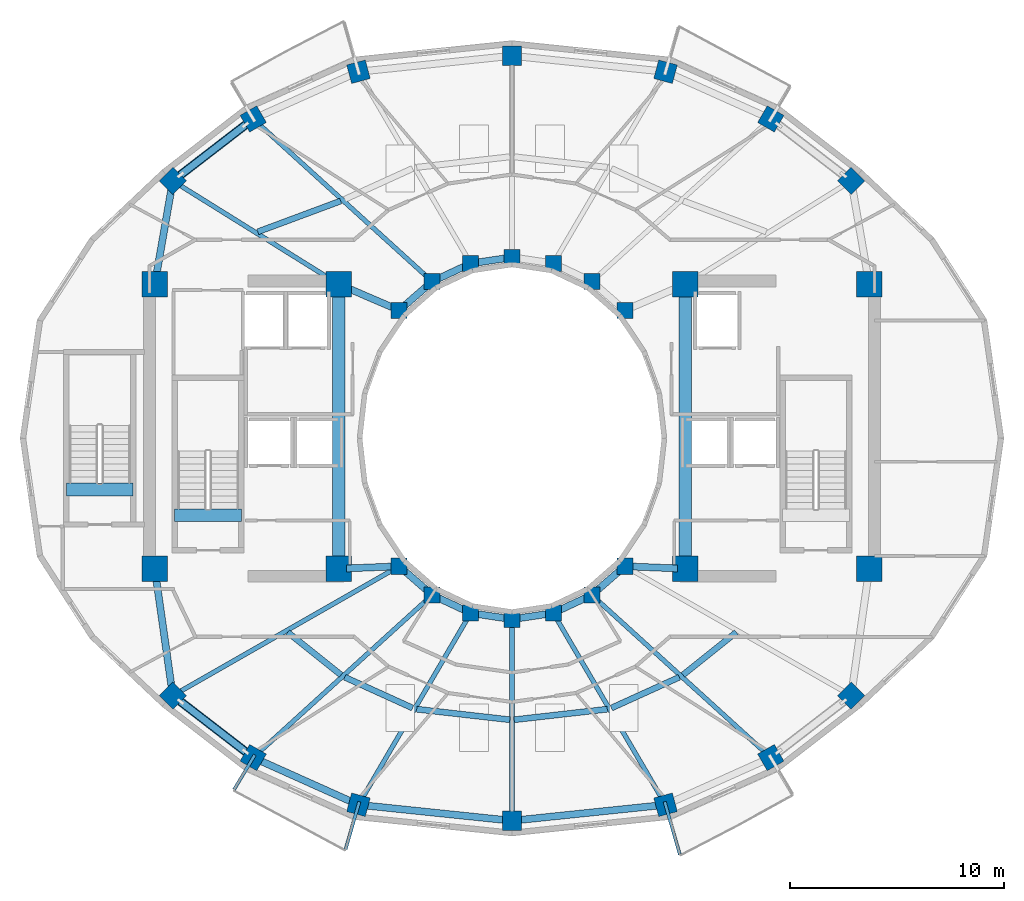
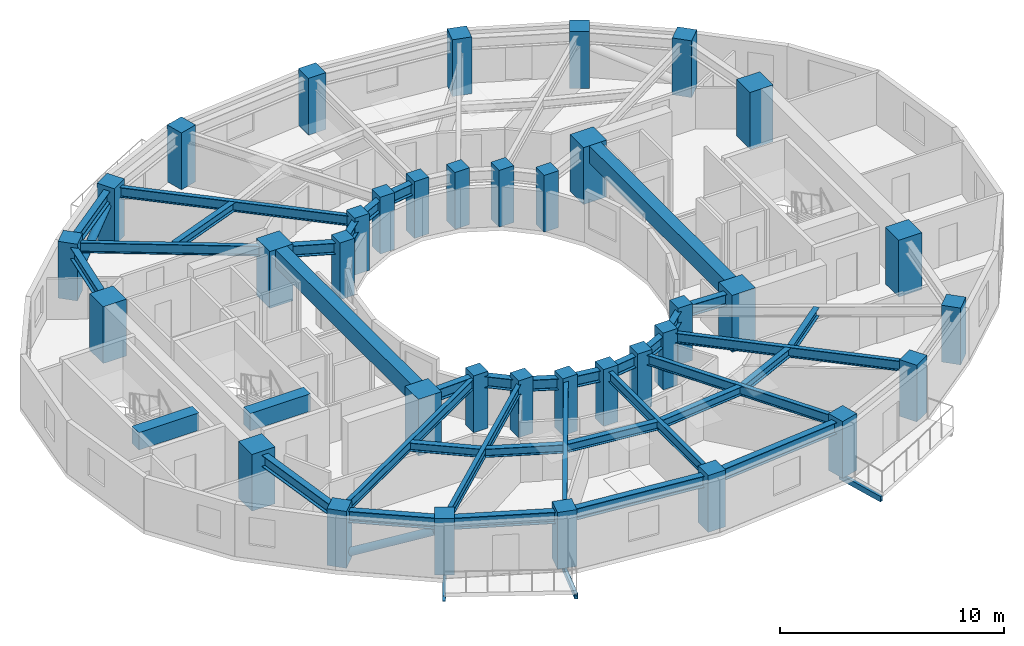
# One storey, part 1 of 10: 41 beams, 36 columns, 2 members.
"""IFC4 building model written with IfcOpenShell, lengths in metres."""

from ifc_helpers import new_model, si_unit, direction, frame, origin, origin_2d, place, context, subcontext, project, spatial, rectangle, hollow_rectangle, hollow_circle, i_section, extrude, material, material_profile, profile_set, type_object, element, save


model = new_model("IFC4")

# Units and contexts
model_context = context("Model", 3, precision=1e-05, world=origin(), true_north=direction((0.0, 1.0)))
body_context = subcontext(model_context, "Body", "Model", "MODEL_VIEW")
ifc_project = project(units=[si_unit("LENGTHUNIT", "METRE"), si_unit("AREAUNIT", "SQUARE_METRE"), si_unit("VOLUMEUNIT", "CUBIC_METRE"), si_unit("PLANEANGLEUNIT", "RADIAN"), si_unit("MASSUNIT", "GRAM", prefix="KILO")], contexts=[model_context])

# Site, building, storey
site_placement = place(None, origin())
site = spatial("IfcSite", under=ifc_project, at=site_placement, CompositionType="ELEMENT")
building_placement = place(site_placement, origin())
building = spatial("IfcBuilding", under=site, at=building_placement, Name="Solvane Sanctuary Tower", CompositionType="ELEMENT")
storey_placement = place(building_placement, frame((0.0, 0.0, 183.89990234375)))
storey = spatial("IfcBuildingStorey", under=building, at=storey_placement, Name="L56", CompositionType="ELEMENT", Elevation=183.89990234375)

# Columns
ifc_material_1 = material(Name="Concrete C50/60", Category="concrete")
ifc_material_profile_1 = material_profile(ifc_material_1, rectangle(XDim=0.75, YDim=0.75, at=origin_2d()), Name="RC750X750")
ifc_profile_set_1 = profile_set([ifc_material_profile_1], Name="Concrete C50/60")
column_type_1 = type_object("IfcColumnType", Name="Column C-RING-Z3 RC750X750", PredefinedType="COLUMN", material=ifc_profile_set_1)
for number, where, z_axis, x_axis, name in (
    (1, (37.27490234375, 28.982177734375, 0.0), (0.0, 0.0, 1.0), (1.0, 0.0, 0.0), "L56 Inner Light-Well Ring Column IC01"),
    (2, (35.72998046875, 30.32666015625, 0.0), (0.0, 0.0, 1.0), (1.0, 0.0, 0.0), "L56 Inner Light-Well Ring Column IC02"),
    (3, (33.930908203125, 31.171630859375, 0.0), (0.0, 0.0, 1.0), (1.0, 0.0, 0.0), "L56 Inner Light-Well Ring Column IC03"),
    (4, (32.0, 31.4599609375, 0.0), (0.0, 0.0, 1.0), (1.0, 0.0, 0.0), "L56 Inner Light-Well Ring Column IC04"),
    (5, (30.069091796875, 31.171630859375, 0.0), (0.0, 0.0, 1.0), (1.0, 0.0, 0.0), "L56 Inner Light-Well Ring Column IC05"),
    (6, (28.27001953125, 30.32666015625, 0.0), (0.0, 0.0, 1.0), (1.0, 0.0, 0.0), "L56 Inner Light-Well Ring Column IC06"),
    (7, (26.72509765625, 28.982177734375, 0.0), (0.0, 0.0, 1.0), (1.0, 0.0, 0.0), "L56 Inner Light-Well Ring Column IC07"),
    (8, (26.72509765625, 17.017822265625, 0.0), (0.0, 0.0, 1.0), (1.0, 0.0, 0.0), "L56 Inner Light-Well Ring Column IC08"),
    (9, (28.27001953125, 15.67333984375, 0.0), (0.0, 0.0, 1.0), (1.0, 0.0, 0.0), "L56 Inner Light-Well Ring Column IC09"),
    (10, (30.069091796875, 14.828369140625, 0.0), (0.0, 0.0, 1.0), (1.0, 0.0, 0.0), "L56 Inner Light-Well Ring Column IC10"),
    (11, (32.0, 14.5400390625, 0.0), (0.0, 0.0, 1.0), (1.0, 0.0, 0.0), "L56 Inner Light-Well Ring Column IC11"),
    (12, (33.930908203125, 14.828369140625, 0.0), (0.0, 0.0, 1.0), (1.0, 0.0, 0.0), "L56 Inner Light-Well Ring Column IC12"),
    (13, (35.72998046875, 15.67333984375, 0.0), (0.0, 0.0, 1.0), (1.0, 0.0, 0.0), "L56 Inner Light-Well Ring Column IC13"),
    (14, (37.27490234375, 17.017822265625, 0.0), (0.0, 0.0, 1.0), (1.0, 0.0, 0.0), "L56 Inner Light-Well Ring Column IC14"),
):
    element("IfcColumn", number, at=place(storey_placement, frame(where, z_axis=z_axis, x_axis=x_axis)), inside=storey, type_object=column_type_1, Name=name, PredefinedType="COLUMN", context=body_context, shape_type="SweptSolid", body=[
        extrude(rectangle(XDim=0.75, YDim=0.75, at=origin_2d()), origin(), (0.0, 0.0, 1.0), 3.10009765625),
    ])
ifc_material_2 = material(Name="Concrete C70/85", Category="concrete")
ifc_material_profile_2 = material_profile(ifc_material_2, rectangle(XDim=1.199951171875, YDim=1.199951171875, at=origin_2d()), Name="RC1200X1200")
ifc_profile_set_2 = profile_set([ifc_material_profile_2], Name="Concrete C70/85")
column_type_2 = type_object("IfcColumnType", Name="Column C-TUBE-Z1 RC1200X1200", PredefinedType="COLUMN", material=ifc_profile_set_2)
for number, where, z_axis, x_axis, name in (
    (15, (15.300048828125, 16.89990234375, 0.0), (0.0, 0.0, 1.0), (1.0, 0.0, 0.0), "L56 Core Corner Column CW1"),
    (16, (23.89990234375, 16.89990234375, 0.0), (0.0, 0.0, 1.0), (1.0, 0.0, 0.0), "L56 Core Corner Column CW2"),
    (17, (23.89990234375, 30.199951171875, 0.0), (0.0, 0.0, 1.0), (1.0, 0.0, 0.0), "L56 Core Corner Column CW3"),
    (18, (15.300048828125, 30.199951171875, 0.0), (0.0, 0.0, 1.0), (1.0, 0.0, 0.0), "L56 Core Corner Column CW4"),
    (19, (40.10009765625, 16.89990234375, 0.0), (0.0, 0.0, 1.0), (1.0, 0.0, 0.0), "L56 Core Corner Column CE1"),
    (20, (48.699951171875, 16.89990234375, 0.0), (0.0, 0.0, 1.0), (1.0, 0.0, 0.0), "L56 Core Corner Column CE2"),
    (21, (48.699951171875, 30.199951171875, 0.0), (0.0, 0.0, 1.0), (1.0, 0.0, 0.0), "L56 Core Corner Column CE3"),
    (22, (40.10009765625, 30.199951171875, 0.0), (0.0, 0.0, 1.0), (1.0, 0.0, 0.0), "L56 Core Corner Column CE4"),
):
    element("IfcColumn", number, at=place(storey_placement, frame(where, z_axis=z_axis, x_axis=x_axis)), inside=storey, type_object=column_type_2, Name=name, PredefinedType="COLUMN", context=body_context, shape_type="SweptSolid", body=[
        extrude(rectangle(XDim=1.199951171875, YDim=1.199951171875, at=origin_2d()), origin(), (0.0, 0.0, 1.0), 3.10009765625),
    ])
ifc_material_3 = material(Name="Concrete C60/75", Category="concrete")
ifc_material_profile_3 = material_profile(ifc_material_3, rectangle(XDim=0.89990234375, YDim=0.89990234375, at=origin_2d()), Name="RC900X900")
ifc_profile_set_3 = profile_set([ifc_material_profile_3], Name="Concrete C60/75")
column_type_3 = type_object("IfcColumnType", Name="Column C-TUBE-Z3 RC900X900", PredefinedType="COLUMN", material=ifc_profile_set_3)
for number, where, z_axis, x_axis, name in (
    (23, (47.856689453125, 35.031005859375, 0.0), (0.0, 0.0, 1.0), (0.707106781187, 0.707106781187, 0.0), "L56 Perimeter Tube Column TC01"),
    (24, (44.09814453125, 37.927978515625, 0.0), (0.0, 0.0, 1.0), (0.5, 0.866025403784, 0.0), "L56 Perimeter Tube Column TC02"),
    (25, (39.17822265625, 40.134521484375, 0.0), (0.0, 0.0, 1.0), (0.258819045103, 0.965925826289, 0.0), "L56 Perimeter Tube Column TC03"),
    (26, (32.0, 40.8798828125, 0.0), (0.0, 0.0, 1.0), (0.0, 1.0, 0.0), "L56 Perimeter Tube Column TC04"),
    (27, (24.82177734375, 40.134521484375, 0.0), (0.0, 0.0, 1.0), (-0.258819045103, 0.965925826289, 0.0), "L56 Perimeter Tube Column TC05"),
    (28, (19.90185546875, 37.927978515625, 0.0), (0.0, 0.0, 1.0), (-0.5, 0.866025403784, 0.0), "L56 Perimeter Tube Column TC06"),
    (29, (16.143310546875, 35.031005859375, 0.0), (0.0, 0.0, 1.0), (-0.707106781187, 0.707106781187, 0.0), "L56 Perimeter Tube Column TC07"),
    (30, (16.143310546875, 10.968994140625, 0.0), (0.0, 0.0, 1.0), (-0.707106781187, -0.707106781187, 0.0), "L56 Perimeter Tube Column TC08"),
    (31, (19.90185546875, 8.072021484375, 0.0), (0.0, 0.0, 1.0), (-0.5, -0.866025403784, 0.0), "L56 Perimeter Tube Column TC09"),
    (32, (24.82177734375, 5.865478515625, 0.0), (0.0, 0.0, 1.0), (-0.258819045103, -0.965925826289, 0.0), "L56 Perimeter Tube Column TC10"),
    (33, (32.0, 5.1201171875, 0.0), (0.0, 0.0, 1.0), (0.0, -1.0, 0.0), "L56 Perimeter Tube Column TC11"),
    (34, (39.17822265625, 5.865478515625, 0.0), (0.0, 0.0, 1.0), (0.258819045103, -0.965925826289, 0.0), "L56 Perimeter Tube Column TC12"),
    (35, (44.09814453125, 8.072021484375, 0.0), (0.0, 0.0, 1.0), (0.5, -0.866025403784, 0.0), "L56 Perimeter Tube Column TC13"),
    (36, (47.856689453125, 10.968994140625, 0.0), (0.0, 0.0, 1.0), (0.707106781187, -0.707106781187, 0.0), "L56 Perimeter Tube Column TC14"),
):
    element("IfcColumn", number, at=place(storey_placement, frame(where, z_axis=z_axis, x_axis=x_axis)), inside=storey, type_object=column_type_3, Name=name, PredefinedType="COLUMN", context=body_context, shape_type="SweptSolid", body=[
        extrude(rectangle(XDim=0.89990234375, YDim=0.89990234375, at=origin_2d()), origin(), (0.0, 0.0, 1.0), 3.10009765625),
    ])

# Beams
ifc_material_4 = material(Name="Steel ASTM A500 Grade C", Category="steel")
ifc_material_profile_4 = material_profile(ifc_material_4, hollow_rectangle(XDim=0.14990234375, YDim=0.300048828125, WallThickness=0.010009765625, at=origin_2d()), Name="HSS300X150X10")
ifc_profile_set_4 = profile_set([ifc_material_profile_4], Name="Steel ASTM A500 Grade C")
beam_type_1 = type_object("IfcBeamType", Name="Beam B-BALC-BRK HSS300X150X10", PredefinedType="BEAM", material=ifc_profile_set_4)
beam_1_placement = place(storey_placement, frame((19.97900390625, 8.20068359375, -0.371826171875), z_axis=(-0.51388983918, -0.857856184443, 0.0), x_axis=(0.857856184443, -0.51388983918, 0.0)))
element("IfcBeam", 37, at=beam_1_placement, inside=storey, type_object=beam_type_1, Name="L56 Balcony Bracket S1-1", PredefinedType="BEAM", context=body_context, shape_type="SweptSolid", body=[
    extrude(hollow_rectangle(XDim=0.14990234375, YDim=0.300048828125, WallThickness=0.010009765625, at=origin_2d()), origin(), (0.0, 0.0, 1.0), 1.896484375),
])
beam_2_placement = place(storey_placement, frame((24.86328125, 6.009521484375, -0.371826171875), z_axis=(-0.277479359198, -0.960731598949, 0.0), x_axis=(0.960731598949, -0.277479359198, 0.0)))
element("IfcBeam", 38, at=beam_2_placement, inside=storey, type_object=beam_type_1, Name="L56 Balcony Bracket S1-2", PredefinedType="BEAM", context=body_context, shape_type="SweptSolid", body=[
    extrude(hollow_rectangle(XDim=0.14990234375, YDim=0.300048828125, WallThickness=0.010009765625, at=origin_2d()), origin(), (0.0, 0.0, 1.0), 2.325439453125),
])
beam_3_placement = place(storey_placement, frame((39.136962890625, 6.009521484375, -0.371826171875), z_axis=(0.275701054563, -0.961243428333, 0.0), x_axis=(0.961243428333, 0.275701054563, 0.0)))
element("IfcBeam", 39, at=beam_3_placement, inside=storey, type_object=beam_type_1, Name="L56 Balcony Bracket S2-1", PredefinedType="BEAM", context=body_context, shape_type="SweptSolid", body=[
    extrude(hollow_rectangle(XDim=0.14990234375, YDim=0.300048828125, WallThickness=0.010009765625, at=origin_2d()), origin(), (0.0, 0.0, 1.0), 2.566162109375),
])
ifc_material_profile_5 = material_profile(ifc_material_2, rectangle(XDim=0.60009765625, YDim=0.949951171875, at=origin_2d()), Name="RC600X950")
ifc_profile_set_5 = profile_set([ifc_material_profile_5], Name="Concrete C70/85")
beam_type_2 = type_object("IfcBeamType", Name="Beam B-COUPLE RC600X950", PredefinedType="LINTEL", material=ifc_profile_set_5)
for number, where, z_axis, x_axis, name in (
    (40, (23.89990234375, 17.35009765625, 2.625), (0.0, 1.0, 0.0), (-1.0, 0.0, 0.0), "L56 West Core Coupling Lintel"),
    (41, (40.10009765625, 17.35009765625, 2.625), (0.0, 1.0, 0.0), (-1.0, 0.0, 0.0), "L56 East Core Coupling Lintel"),
):
    element("IfcBeam", number, at=place(storey_placement, frame(where, z_axis=z_axis, x_axis=x_axis)), inside=storey, type_object=beam_type_2, Name=name, PredefinedType="LINTEL", context=body_context, shape_type="SweptSolid", body=[
        extrude(rectangle(XDim=0.60009765625, YDim=0.949951171875, at=origin_2d()), origin(), (0.0, 0.0, 1.0), 12.39990234375),
    ])
for number, where, z_axis, x_axis, name in (
    (42, (16.22998046875, 19.399169921875, 2.625), (1.0, 0.0, 0.0), (0.0, 1.0, 0.0), "L56 ST-1 Stair Floor Landing Trimmer"),
    (43, (11.169921875, 20.59912109375, 2.625), (1.0, 0.0, 0.0), (0.0, 1.0, 0.0), "L56 ST-3 Stair Floor Landing Trimmer"),
):
    element("IfcBeam", number, at=place(storey_placement, frame(where, z_axis=z_axis, x_axis=x_axis)), inside=storey, type_object=beam_type_2, Name=name, PredefinedType="LINTEL", context=body_context, shape_type="SweptSolid", body=[
        extrude(rectangle(XDim=0.60009765625, YDim=0.949951171875, at=origin_2d()), origin(), (0.0, 0.0, 1.0), 3.1201171875),
    ])
ifc_material_5 = material(Name="Steel ASTM A992 Grade 50", Category="steel")
ifc_material_profile_6 = material_profile(ifc_material_5, i_section(OverallWidth=0.214111328125, OverallDepth=0.549072265625, WebThickness=0.0146484375, FlangeThickness=0.023681640625, FilletRadius=0.014892578125, at=origin_2d()), Name="W21X93")
ifc_profile_set_6 = profile_set([ifc_material_profile_6], Name="Steel ASTM A992 Grade 50")
beam_type_3 = type_object("IfcBeamType", Name="Beam B-RAD-Z3 W21X93", PredefinedType="JOIST", material=ifc_profile_set_6)
beam_4_placement = place(storey_placement, frame((28.062744140625, 30.514892578125, 2.603515625), z_axis=(-0.74020423772, 0.672382098558, 0.0), x_axis=(-0.672382098558, -0.74020423772, 0.0)))
element("IfcBeam", 44, at=beam_4_placement, inside=storey, type_object=beam_type_3, Name="L56 Radial Composite Floor Beam 06", PredefinedType="JOIST", context=body_context, shape_type="SweptSolid", body=[
    extrude(i_section(OverallWidth=0.214111328125, OverallDepth=0.549072265625, WebThickness=0.0146484375, FlangeThickness=0.023681640625, FilletRadius=0.014892578125, at=origin_2d()), origin(), (0.0, 0.0, 1.0), 10.7451171875),
])
beam_5_placement = place(storey_placement, frame((23.594482421875, 30.390380859375, 2.603515625), z_axis=(-0.84882685523, 0.528670946658, 0.0), x_axis=(-0.528670946658, -0.84882685523, 0.0)))
element("IfcBeam", 45, at=beam_5_placement, inside=storey, type_object=beam_type_3, Name="L56 Radial Composite Floor Beam 07", PredefinedType="JOIST", context=body_context, shape_type="SweptSolid", body=[
    extrude(i_section(OverallWidth=0.214111328125, OverallDepth=0.549072265625, WebThickness=0.0146484375, FlangeThickness=0.023681640625, FilletRadius=0.014892578125, at=origin_2d()), origin(), (0.0, 0.0, 1.0), 8.498046875),
])
beam_6_placement = place(storey_placement, frame((26.48193359375, 16.87890625, 2.603515625), z_axis=(-0.86816302692, -0.496279113694, 0.0), x_axis=(0.496279113694, -0.86816302692, 0.0)))
element("IfcBeam", 46, at=beam_6_placement, inside=storey, type_object=beam_type_3, Name="L56 Radial Composite Floor Beam 08", PredefinedType="JOIST", context=body_context, shape_type="SweptSolid", body=[
    extrude(i_section(OverallWidth=0.214111328125, OverallDepth=0.549072265625, WebThickness=0.0146484375, FlangeThickness=0.023681640625, FilletRadius=0.014892578125, at=origin_2d()), origin(), (0.0, 0.0, 1.0), 11.62841796875),
])
beam_7_placement = place(storey_placement, frame((28.062744140625, 15.485107421875, 2.603515625), z_axis=(-0.74020423772, -0.672382098558, 0.0), x_axis=(0.672382098558, -0.74020423772, 0.0)))
element("IfcBeam", 47, at=beam_7_placement, inside=storey, type_object=beam_type_3, Name="L56 Radial Composite Floor Beam 09", PredefinedType="JOIST", context=body_context, shape_type="SweptSolid", body=[
    extrude(i_section(OverallWidth=0.214111328125, OverallDepth=0.549072265625, WebThickness=0.0146484375, FlangeThickness=0.023681640625, FilletRadius=0.014892578125, at=origin_2d()), origin(), (0.0, 0.0, 1.0), 10.7451171875),
])
beam_8_placement = place(storey_placement, frame((29.927734375, 14.586669921875, 2.603515625), z_axis=(-0.505243742555, -0.862976686017, 0.0), x_axis=(0.862976686017, -0.505243742555, 0.0)))
element("IfcBeam", 48, at=beam_8_placement, inside=storey, type_object=beam_type_3, Name="L56 Radial Composite Floor Beam 10", PredefinedType="JOIST", context=body_context, shape_type="SweptSolid", body=[
    extrude(i_section(OverallWidth=0.214111328125, OverallDepth=0.549072265625, WebThickness=0.0146484375, FlangeThickness=0.023681640625, FilletRadius=0.014892578125, at=origin_2d()), origin(), (0.0, 0.0, 1.0), 9.826171875),
])
beam_9_placement = place(storey_placement, frame((32.0, 14.260009765625, 2.603515625), z_axis=(0.0, -1.0, 0.0), x_axis=(1.0, 0.0, 0.0)))
element("IfcBeam", 49, at=beam_9_placement, inside=storey, type_object=beam_type_3, Name="L56 Radial Composite Floor Beam 11", PredefinedType="JOIST", context=body_context, shape_type="SweptSolid", body=[
    extrude(i_section(OverallWidth=0.214111328125, OverallDepth=0.549072265625, WebThickness=0.0146484375, FlangeThickness=0.023681640625, FilletRadius=0.014892578125, at=origin_2d()), origin(), (0.0, 0.0, 1.0), 8.860107421875),
])
beam_10_placement = place(storey_placement, frame((34.072265625, 14.586669921875, 2.603515625), z_axis=(0.505243742555, -0.862976686017, 0.0), x_axis=(0.862976686017, 0.505243742555, 0.0)))
element("IfcBeam", 50, at=beam_10_placement, inside=storey, type_object=beam_type_3, Name="L56 Radial Composite Floor Beam 12", PredefinedType="JOIST", context=body_context, shape_type="SweptSolid", body=[
    extrude(i_section(OverallWidth=0.214111328125, OverallDepth=0.549072265625, WebThickness=0.0146484375, FlangeThickness=0.023681640625, FilletRadius=0.014892578125, at=origin_2d()), origin(), (0.0, 0.0, 1.0), 9.826171875),
])
beam_11_placement = place(storey_placement, frame((35.937255859375, 15.485107421875, 2.603515625), z_axis=(0.74020423772, -0.672382098558, 0.0), x_axis=(0.672382098558, 0.74020423772, 0.0)))
element("IfcBeam", 51, at=beam_11_placement, inside=storey, type_object=beam_type_3, Name="L56 Radial Composite Floor Beam 13", PredefinedType="JOIST", context=body_context, shape_type="SweptSolid", body=[
    extrude(i_section(OverallWidth=0.214111328125, OverallDepth=0.549072265625, WebThickness=0.0146484375, FlangeThickness=0.023681640625, FilletRadius=0.014892578125, at=origin_2d()), origin(), (0.0, 0.0, 1.0), 10.7451171875),
])
ifc_material_profile_7 = material_profile(ifc_material_5, i_section(OverallWidth=0.324951171875, OverallDepth=0.615966796875, WebThickness=0.013916015625, FlangeThickness=0.021484375, FilletRadius=0.01611328125, at=origin_2d()), Name="W24X117")
ifc_profile_set_7 = profile_set([ifc_material_profile_7], Name="Steel ASTM A992 Grade 50")
beam_type_4 = type_object("IfcBeamType", Name="Beam B-RING-IN2 W24X117", PredefinedType="BEAM", material=ifc_profile_set_7)
beam_12_placement = place(storey_placement, frame((24.230712890625, 30.0576171875, 2.570068359375), z_axis=(0.918264067649, -0.395968561966, 0.0), x_axis=(0.395968561966, 0.918264067649, 0.0)))
element("IfcBeam", 52, at=beam_12_placement, inside=storey, type_object=beam_type_4, Name="L56 Inner Light-Well Ring Beam CW3-IC07", PredefinedType="BEAM", context=body_context, shape_type="SweptSolid", body=[
    extrude(i_section(OverallWidth=0.324951171875, OverallDepth=0.615966796875, WebThickness=0.013916015625, FlangeThickness=0.021484375, FilletRadius=0.01611328125, at=origin_2d()), origin(), (0.0, 0.0, 1.0), 2.371337890625),
])
beam_13_placement = place(storey_placement, frame((26.9853515625, 29.20849609375, 2.570068359375), z_axis=(0.754311313851, 0.656516901379, 0.0), x_axis=(-0.656516901379, 0.754311313851, 0.0)))
element("IfcBeam", 53, at=beam_13_placement, inside=storey, type_object=beam_type_4, Name="L56 Inner Light-Well Ring Beam IC07-IC06", PredefinedType="BEAM", context=body_context, shape_type="SweptSolid", body=[
    extrude(i_section(OverallWidth=0.324951171875, OverallDepth=0.615966796875, WebThickness=0.013916015625, FlangeThickness=0.021484375, FilletRadius=0.01611328125, at=origin_2d()), origin(), (0.0, 0.0, 1.0), 1.358154296875),
])
beam_14_placement = place(storey_placement, frame((28.582275390625, 30.473388671875, 2.570068359375), z_axis=(0.9051808128, 0.425026700502, 0.0), x_axis=(-0.425026700502, 0.9051808128, 0.0)))
element("IfcBeam", 54, at=beam_14_placement, inside=storey, type_object=beam_type_4, Name="L56 Inner Light-Well Ring Beam IC06-IC05", PredefinedType="BEAM", context=body_context, shape_type="SweptSolid", body=[
    extrude(i_section(OverallWidth=0.324951171875, OverallDepth=0.615966796875, WebThickness=0.013916015625, FlangeThickness=0.021484375, FilletRadius=0.01611328125, at=origin_2d()), origin(), (0.0, 0.0, 1.0), 1.297607421875),
])
beam_15_placement = place(storey_placement, frame((30.410400390625, 31.22265625, 2.570068359375), z_axis=(0.989019905763, 0.147782360259, 0.0), x_axis=(-0.147782360259, 0.989019905763, 0.0)))
element("IfcBeam", 55, at=beam_15_placement, inside=storey, type_object=beam_type_4, Name="L56 Inner Light-Well Ring Beam IC05-IC04", PredefinedType="BEAM", context=body_context, shape_type="SweptSolid", body=[
    extrude(i_section(OverallWidth=0.324951171875, OverallDepth=0.615966796875, WebThickness=0.013916015625, FlangeThickness=0.021484375, FilletRadius=0.01611328125, at=origin_2d()), origin(), (0.0, 0.0, 1.0), 1.26220703125),
])
beam_16_placement = place(storey_placement, frame((24.259765625, 16.9150390625, 2.570068359375), z_axis=(0.999132674336, 0.041640113759, 0.0), x_axis=(-0.041640113759, 0.999132674336, 0.0)))
element("IfcBeam", 56, at=beam_16_placement, inside=storey, type_object=beam_type_4, Name="L56 Inner Light-Well Ring Beam CW2-IC08", PredefinedType="BEAM", context=body_context, shape_type="SweptSolid", body=[
    extrude(i_section(OverallWidth=0.324951171875, OverallDepth=0.615966796875, WebThickness=0.013916015625, FlangeThickness=0.021484375, FilletRadius=0.01611328125, at=origin_2d()), origin(), (0.0, 0.0, 1.0), 2.12255859375),
])
beam_17_placement = place(storey_placement, frame((26.9853515625, 16.79150390625, 2.570068359375), z_axis=(0.754311313851, -0.656516901379, 0.0), x_axis=(0.656516901379, 0.754311313851, 0.0)))
element("IfcBeam", 57, at=beam_17_placement, inside=storey, type_object=beam_type_4, Name="L56 Inner Light-Well Ring Beam IC08-IC09", PredefinedType="BEAM", context=body_context, shape_type="SweptSolid", body=[
    extrude(i_section(OverallWidth=0.324951171875, OverallDepth=0.615966796875, WebThickness=0.013916015625, FlangeThickness=0.021484375, FilletRadius=0.01611328125, at=origin_2d()), origin(), (0.0, 0.0, 1.0), 1.358154296875),
])
beam_18_placement = place(storey_placement, frame((28.582275390625, 15.526611328125, 2.570068359375), z_axis=(0.9051808128, -0.425026700502, 0.0), x_axis=(0.425026700502, 0.9051808128, 0.0)))
element("IfcBeam", 58, at=beam_18_placement, inside=storey, type_object=beam_type_4, Name="L56 Inner Light-Well Ring Beam IC09-IC10", PredefinedType="BEAM", context=body_context, shape_type="SweptSolid", body=[
    extrude(i_section(OverallWidth=0.324951171875, OverallDepth=0.615966796875, WebThickness=0.013916015625, FlangeThickness=0.021484375, FilletRadius=0.01611328125, at=origin_2d()), origin(), (0.0, 0.0, 1.0), 1.297607421875),
])
for number, where, z_axis, x_axis, name in (
    (59, (30.410400390625, 14.77734375, 2.570068359375), (0.989019905763, -0.147782360259, 0.0), (0.147782360259, 0.989019905763, 0.0), "L56 Inner Light-Well Ring Beam IC10-IC11"),
    (60, (32.34130859375, 14.5908203125, 2.570068359375), (0.989019905763, 0.147782360259, 0.0), (-0.147782360259, 0.989019905763, 0.0), "L56 Inner Light-Well Ring Beam IC11-IC12"),
):
    element("IfcBeam", number, at=place(storey_placement, frame(where, z_axis=z_axis, x_axis=x_axis)), inside=storey, type_object=beam_type_4, Name=name, PredefinedType="BEAM", context=body_context, shape_type="SweptSolid", body=[
        extrude(i_section(OverallWidth=0.324951171875, OverallDepth=0.615966796875, WebThickness=0.013916015625, FlangeThickness=0.021484375, FilletRadius=0.01611328125, at=origin_2d()), origin(), (0.0, 0.0, 1.0), 1.26220703125),
    ])
beam_19_placement = place(storey_placement, frame((34.2431640625, 14.97509765625, 2.570068359375), z_axis=(0.9051808128, 0.425026700502, 0.0), x_axis=(-0.425026700502, 0.9051808128, 0.0)))
element("IfcBeam", 61, at=beam_19_placement, inside=storey, type_object=beam_type_4, Name="L56 Inner Light-Well Ring Beam IC12-IC13", PredefinedType="BEAM", context=body_context, shape_type="SweptSolid", body=[
    extrude(i_section(OverallWidth=0.324951171875, OverallDepth=0.615966796875, WebThickness=0.013916015625, FlangeThickness=0.021484375, FilletRadius=0.01611328125, at=origin_2d()), origin(), (0.0, 0.0, 1.0), 1.297607421875),
])
beam_20_placement = place(storey_placement, frame((35.990234375, 15.89990234375, 2.570068359375), z_axis=(0.754311313851, 0.656516901379, 0.0), x_axis=(-0.656516901379, 0.754311313851, 0.0)))
element("IfcBeam", 62, at=beam_20_placement, inside=storey, type_object=beam_type_4, Name="L56 Inner Light-Well Ring Beam IC13-IC14", PredefinedType="BEAM", context=body_context, shape_type="SweptSolid", body=[
    extrude(i_section(OverallWidth=0.324951171875, OverallDepth=0.615966796875, WebThickness=0.013916015625, FlangeThickness=0.021484375, FilletRadius=0.01611328125, at=origin_2d()), origin(), (0.0, 0.0, 1.0), 1.358154296875),
])
beam_21_placement = place(storey_placement, frame((37.61962890625, 17.00341796875, 2.570068359375), z_axis=(0.999132674336, -0.041640113759, 0.0), x_axis=(0.041640113759, 0.999132674336, 0.0)))
element("IfcBeam", 63, at=beam_21_placement, inside=storey, type_object=beam_type_4, Name="L56 Inner Light-Well Ring Beam IC14-CE1", PredefinedType="BEAM", context=body_context, shape_type="SweptSolid", body=[
    extrude(i_section(OverallWidth=0.324951171875, OverallDepth=0.615966796875, WebThickness=0.013916015625, FlangeThickness=0.021484375, FilletRadius=0.01611328125, at=origin_2d()), origin(), (0.0, 0.0, 1.0), 2.12255859375),
])
ifc_material_profile_8 = material_profile(ifc_material_5, i_section(OverallWidth=0.280029296875, OverallDepth=0.462890625, WebThickness=0.0107421875, FlangeThickness=0.017333984375, FilletRadius=0.013916015625, at=origin_2d()), Name="W18X76")
ifc_profile_set_8 = profile_set([ifc_material_profile_8], Name="Steel ASTM A992 Grade 50")
beam_type_5 = type_object("IfcBeamType", Name="Beam B-SEC-JOIST W18X76", PredefinedType="JOIST", material=ifc_profile_set_8)
beam_22_placement = place(storey_placement, frame((20.1171875, 32.651123046875, 2.646484375), z_axis=(0.937265401165, 0.348616648741, 0.0), x_axis=(-0.348616648741, 0.937265401165, 0.0)))
element("IfcBeam", 64, at=beam_22_placement, inside=storey, type_object=beam_type_5, Name="L56 Secondary Circumferential Joist 07-06", PredefinedType="JOIST", context=body_context, shape_type="SweptSolid", body=[
    extrude(i_section(OverallWidth=0.280029296875, OverallDepth=0.462890625, WebThickness=0.0107421875, FlangeThickness=0.017333984375, FilletRadius=0.013916015625, at=origin_2d()), origin(), (0.0, 0.0, 1.0), 4.132568359375),
])
beam_23_placement = place(storey_placement, frame((21.513916015625, 13.9296875, 2.646484375), z_axis=(0.780950896308, -0.62459242515, 0.0), x_axis=(0.62459242515, 0.780950896308, 0.0)))
element("IfcBeam", 65, at=beam_23_placement, inside=storey, type_object=beam_type_5, Name="L56 Secondary Circumferential Joist 08-09", PredefinedType="JOIST", context=body_context, shape_type="SweptSolid", body=[
    extrude(i_section(OverallWidth=0.280029296875, OverallDepth=0.462890625, WebThickness=0.0107421875, FlangeThickness=0.017333984375, FilletRadius=0.013916015625, at=origin_2d()), origin(), (0.0, 0.0, 1.0), 3.191650390625),
])
beam_24_placement = place(storey_placement, frame((24.178955078125, 11.83056640625, 2.646484375), z_axis=(0.910462399508, -0.413591850842, 0.0), x_axis=(0.413591850842, 0.910462399508, 0.0)))
element("IfcBeam", 66, at=beam_24_placement, inside=storey, type_object=beam_type_5, Name="L56 Secondary Circumferential Joist 09-10", PredefinedType="JOIST", context=body_context, shape_type="SweptSolid", body=[
    extrude(i_section(OverallWidth=0.280029296875, OverallDepth=0.462890625, WebThickness=0.0107421875, FlangeThickness=0.017333984375, FilletRadius=0.013916015625, at=origin_2d()), origin(), (0.0, 0.0, 1.0), 3.485595703125),
])
for number, where, z_axis, x_axis, name in (
    (67, (27.546875, 10.335205078125, 2.646484375), (0.993627549834, -0.112713318696, 0.0), (0.112713318696, 0.993627549834, 0.0), "L56 Secondary Circumferential Joist 10-11"),
    (68, (32.101318359375, 9.841552734375, 2.646484375), (0.993627549834, 0.112713318696, 0.0), (-0.112713318696, 0.993627549834, 0.0), "L56 Secondary Circumferential Joist 11-12"),
):
    element("IfcBeam", number, at=place(storey_placement, frame(where, z_axis=z_axis, x_axis=x_axis)), inside=storey, type_object=beam_type_5, Name=name, PredefinedType="JOIST", context=body_context, shape_type="SweptSolid", body=[
        extrude(i_section(OverallWidth=0.280029296875, OverallDepth=0.462890625, WebThickness=0.0107421875, FlangeThickness=0.017333984375, FilletRadius=0.013916015625, at=origin_2d()), origin(), (0.0, 0.0, 1.0), 4.379638671875),
    ])
beam_25_placement = place(storey_placement, frame((36.6474609375, 10.388916015625, 2.646484375), z_axis=(0.910474379443, 0.413565477739, 0.0), x_axis=(-0.413565477739, 0.910474379443, 0.0)))
element("IfcBeam", 69, at=beam_25_placement, inside=storey, type_object=beam_type_5, Name="L56 Secondary Circumferential Joist 12-13", PredefinedType="JOIST", context=body_context, shape_type="SweptSolid", body=[
    extrude(i_section(OverallWidth=0.280029296875, OverallDepth=0.462890625, WebThickness=0.0107421875, FlangeThickness=0.017333984375, FilletRadius=0.013916015625, at=origin_2d()), origin(), (0.0, 0.0, 1.0), 3.48583984375),
])
beam_26_placement = place(storey_placement, frame((39.993896484375, 11.936279296875, 2.646484375), z_axis=(0.78092105122, 0.624629739735, 0.0), x_axis=(-0.624629739735, 0.78092105122, 0.0)))
element("IfcBeam", 70, at=beam_26_placement, inside=storey, type_object=beam_type_5, Name="L56 Secondary Circumferential Joist 13-14", PredefinedType="JOIST", context=body_context, shape_type="SweptSolid", body=[
    extrude(i_section(OverallWidth=0.280029296875, OverallDepth=0.462890625, WebThickness=0.0107421875, FlangeThickness=0.017333984375, FilletRadius=0.013916015625, at=origin_2d()), origin(), (0.0, 0.0, 1.0), 3.19140625),
])
ifc_material_profile_9 = material_profile(ifc_material_5, i_section(OverallWidth=0.327880859375, OverallDepth=0.6279296875, WebThickness=0.0166015625, FlangeThickness=0.027587890625, FilletRadius=0.01611328125, at=origin_2d()), Name="W24X146")
ifc_profile_set_9 = profile_set([ifc_material_profile_9], Name="Steel ASTM A992 Grade 50")
beam_type_6 = type_object("IfcBeamType", Name="Beam B-SPAND-Z3 W24X146", PredefinedType="SPANDREL", material=ifc_profile_set_9)
beam_27_placement = place(storey_placement, frame((15.34814453125, 30.475830078125, 2.564208984375), z_axis=(0.171967263087, 0.985102664917, 0.0), x_axis=(-0.985102664917, 0.171967263087, 0.0)))
element("IfcBeam", 71, at=beam_27_placement, inside=storey, type_object=beam_type_6, Name="L56 Perimeter Spandrel Beam CW4-TC07", PredefinedType="SPANDREL", context=body_context, shape_type="SweptSolid", body=[
    extrude(i_section(OverallWidth=0.327880859375, OverallDepth=0.6279296875, WebThickness=0.0166015625, FlangeThickness=0.027587890625, FilletRadius=0.01611328125, at=origin_2d()), origin(), (0.0, 0.0, 1.0), 4.34423828125),
])
beam_28_placement = place(storey_placement, frame((16.365234375, 35.201904296875, 2.564208984375), z_axis=(0.792020773873, 0.610494139001, 0.0), x_axis=(-0.610494139001, 0.792020773873, 0.0)))
element("IfcBeam", 72, at=beam_28_placement, inside=storey, type_object=beam_type_6, Name="L56 Perimeter Spandrel Beam TC07-TC06", PredefinedType="SPANDREL", context=body_context, shape_type="SweptSolid", body=[
    extrude(i_section(OverallWidth=0.327880859375, OverallDepth=0.6279296875, WebThickness=0.0166015625, FlangeThickness=0.027587890625, FilletRadius=0.01611328125, at=origin_2d()), origin(), (0.0, 0.0, 1.0), 4.185302734375),
])
beam_29_placement = place(storey_placement, frame((15.33935546875, 16.622802734375, 2.564208984375), z_axis=(0.140798255486, -0.990038307972, 0.0), x_axis=(0.990038307972, 0.140798255486, 0.0)))
element("IfcBeam", 73, at=beam_29_placement, inside=storey, type_object=beam_type_6, Name="L56 Perimeter Spandrel Beam CW1-TC08", PredefinedType="SPANDREL", context=body_context, shape_type="SweptSolid", body=[
    extrude(i_section(OverallWidth=0.327880859375, OverallDepth=0.6279296875, WebThickness=0.0166015625, FlangeThickness=0.027587890625, FilletRadius=0.01611328125, at=origin_2d()), origin(), (0.0, 0.0, 1.0), 5.430908203125),
])
beam_30_placement = place(storey_placement, frame((16.365234375, 10.798095703125, 2.564208984375), z_axis=(0.792020773873, -0.610494139001, 0.0), x_axis=(0.610494139001, 0.792020773873, 0.0)))
element("IfcBeam", 74, at=beam_30_placement, inside=storey, type_object=beam_type_6, Name="L56 Perimeter Spandrel Beam TC08-TC09", PredefinedType="SPANDREL", context=body_context, shape_type="SweptSolid", body=[
    extrude(i_section(OverallWidth=0.327880859375, OverallDepth=0.6279296875, WebThickness=0.0166015625, FlangeThickness=0.027587890625, FilletRadius=0.01611328125, at=origin_2d()), origin(), (0.0, 0.0, 1.0), 4.185302734375),
])
beam_31_placement = place(storey_placement, frame((20.157470703125, 7.95751953125, 2.564208984375), z_axis=(0.912414349424, -0.409267705744, 0.0), x_axis=(0.409267705744, 0.912414349424, 0.0)))
element("IfcBeam", 75, at=beam_31_placement, inside=storey, type_object=beam_type_6, Name="L56 Perimeter Spandrel Beam TC09-TC10", PredefinedType="SPANDREL", context=body_context, shape_type="SweptSolid", body=[
    extrude(i_section(OverallWidth=0.327880859375, OverallDepth=0.6279296875, WebThickness=0.0166015625, FlangeThickness=0.027587890625, FilletRadius=0.01611328125, at=origin_2d()), origin(), (0.0, 0.0, 1.0), 4.831787109375),
])
for number, where, z_axis, x_axis, name in (
    (76, (25.10009765625, 5.83642578125, 2.564208984375), (0.994652761118, -0.103275770632, 0.0), (0.103275770632, 0.994652761118, 0.0), "L56 Perimeter Spandrel Beam TC10-TC11"),
    (77, (32.278564453125, 5.14892578125, 2.564208984375), (0.994652761118, 0.103275770632, 0.0), (-0.103275770632, 0.994652761118, 0.0), "L56 Perimeter Spandrel Beam TC11-TC12"),
):
    element("IfcBeam", number, at=place(storey_placement, frame(where, z_axis=z_axis, x_axis=x_axis)), inside=storey, type_object=beam_type_6, Name=name, PredefinedType="SPANDREL", context=body_context, shape_type="SweptSolid", body=[
        extrude(i_section(OverallWidth=0.327880859375, OverallDepth=0.6279296875, WebThickness=0.0166015625, FlangeThickness=0.027587890625, FilletRadius=0.01611328125, at=origin_2d()), origin(), (0.0, 0.0, 1.0), 6.656982421875),
    ])

# Members
ifc_material_profile_10 = material_profile(ifc_material_5, hollow_circle(Radius=0.202880859375, WallThickness=0.012451171875, at=origin_2d()), Name="CHS406X12.5")
ifc_profile_set_10 = profile_set([ifc_material_profile_10], Name="Steel ASTM A992 Grade 50")
member_type = type_object("IfcMemberType", Name="Member M-TUBE-Z3 CHS406X12.5", PredefinedType="BRACE", material=ifc_profile_set_10)
for number, where, z_axis, x_axis, name in (
    (78, (16.51025390625, 35.313720703125, 0.5625), (0.73686018058, 0.568005062922, 0.366616042707), (-0.610513708364, 0.792005689311, 0.0), "L56 Perimeter Braced-Tube Diagonal NW"),
    (79, (16.51025390625, 10.686279296875, 0.5625), (0.73686018058, -0.568005062922, 0.366616042707), (0.610513708364, 0.792005689311, 0.0), "L56 Perimeter Braced-Tube Diagonal SW"),
):
    element("IfcMember", number, at=place(storey_placement, frame(where, z_axis=z_axis, x_axis=x_axis)), inside=storey, type_object=member_type, Name=name, PredefinedType="BRACE", context=body_context, shape_type="SweptSolid", body=[
        extrude(hollow_circle(Radius=0.202880859375, WallThickness=0.012451171875, at=origin_2d()), origin(), (0.0, 0.0, 1.0), 4.104736328125),
    ])

save(model, "model.ifc")
